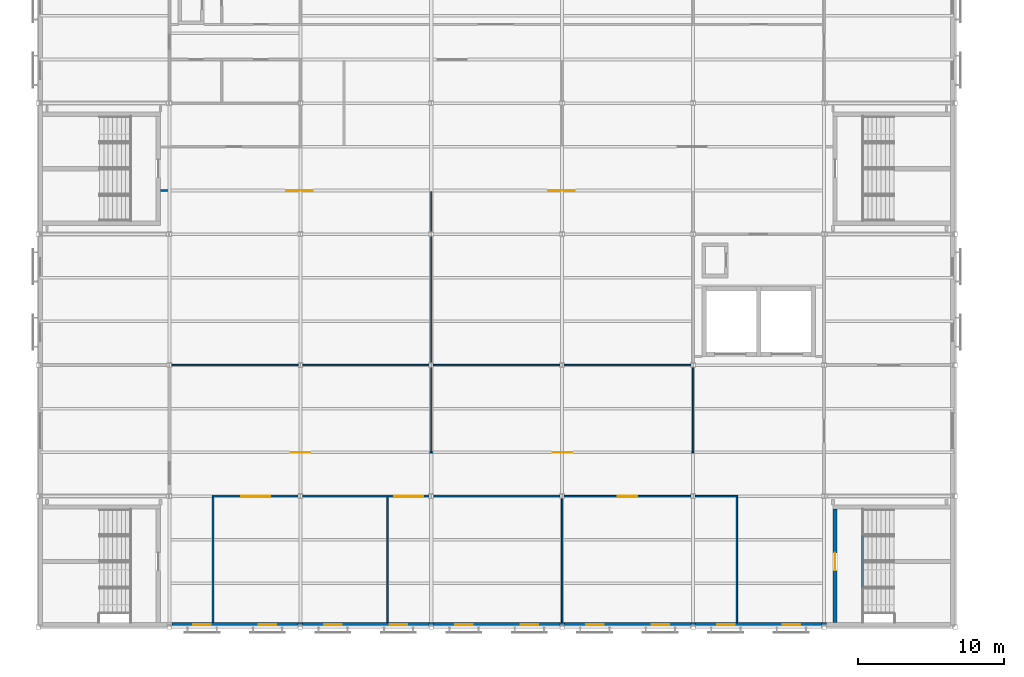
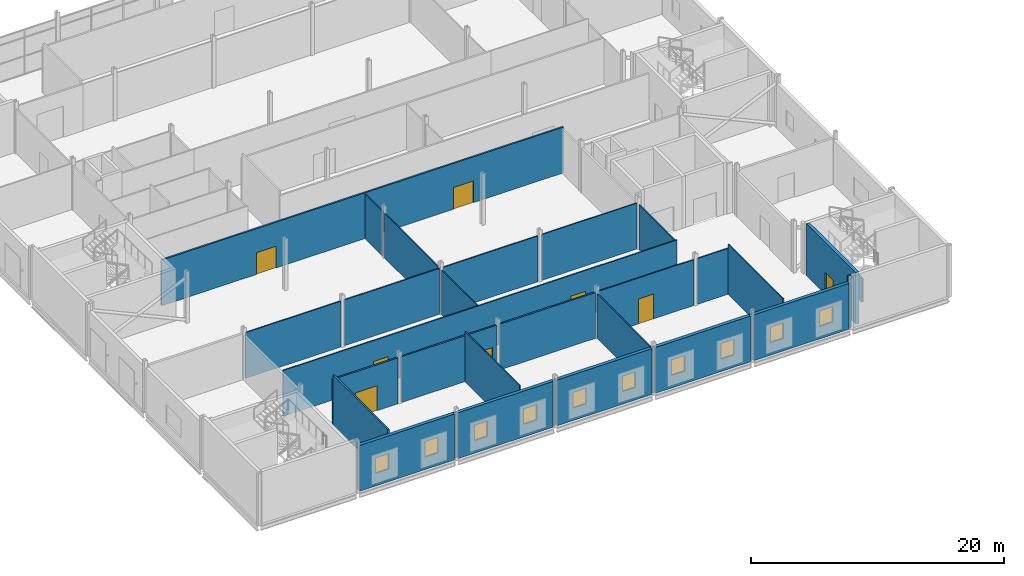
# One storey, part 78 of 112: 31 walls, 10 windows, 8 doors, 18 openings.
"""IFC4 building model written with IfcOpenShell, lengths in metres."""

import ifcopenshell
import ifcopenshell.guid

model = None  # the IFC model being written
_history = None  # IfcOwnerHistory: only IFC2X3 demands one
_inside = {}  # id of a spatial element -> (the spatial element, [elements in it])
_under = {}  # id of a project, library or spatial element -> (it, [spatial elements below it])
_declared = {}  # id of a project -> (the project, [libraries it declares])
_typed = {}  # id of a type object -> (the type object, [elements of that type])
_made_of = {}  # id of a material, layer set ... -> (it, [elements and type objects made of it])


def new_model(schema):
    """Start an empty IFC model of exactly this schema.

    Asked for "IFC4X3", IfcOpenShell would pick the latest addendum, in which some entities
    have other attributes; the version numbers below select the first issue.
    IFC2X3 requires an IfcOwnerHistory on every rooted entity: one is made here for all.
    """
    global model, _history
    if schema == "IFC4X3":
        model = ifcopenshell.file(schema_version=(4, 3, 0, 0))
    else:
        model = ifcopenshell.file(schema=schema)
    _inside.clear()
    _under.clear()
    _declared.clear()
    _typed.clear()
    _made_of.clear()
    _history = None
    if model.schema == "IFC2X3":
        org = make("IfcOrganization", Name="unknown")
        user = make(
            "IfcPersonAndOrganization",
            ThePerson=make("IfcPerson", FamilyName="unknown"),
            TheOrganization=org,
        )
        app = make(
            "IfcApplication",
            ApplicationDeveloper=org,
            Version="unknown",
            ApplicationFullName="unknown",
            ApplicationIdentifier="unknown",
        )
        _history = make(
            "IfcOwnerHistory",
            OwningUser=user,
            OwningApplication=app,
            ChangeAction="ADDED",
            CreationDate=0,
        )
    return model


def make(cls, **values):
    """One entity of the class cls with the attributes given. An attribute that is None is left unset."""
    return model.create_entity(
        cls, **{name: value for name, value in values.items() if value is not None}
    )


def rooted(cls, **values):
    """An entity with a GlobalId (a new one), such as an element, a storey or a relation."""
    return make(cls, GlobalId=ifcopenshell.guid.new(), OwnerHistory=_history, **values)


def si_unit(unit_type, name, prefix=None):
    """IfcSIUnit, for example si_unit("LENGTHUNIT", "METRE", prefix="MILLI")."""
    return make("IfcSIUnit", UnitType=unit_type, Prefix=prefix, Name=name)


def assignment(units):
    """IfcUnitAssignment: the units of a project."""
    return None if units is None else make("IfcUnitAssignment", Units=units)


def point(xyz):
    """IfcCartesianPoint."""
    return None if xyz is None else make("IfcCartesianPoint", Coordinates=xyz)


def direction(xyz):
    """IfcDirection."""
    return None if xyz is None else make("IfcDirection", DirectionRatios=xyz)


def frame(location, z_axis=None, x_axis=None):
    """IfcAxis2Placement3D, a coordinate frame: its origin and axes. An axis left out is left unset."""
    return make(
        "IfcAxis2Placement3D",
        Location=point(location),
        Axis=direction(z_axis),
        RefDirection=direction(x_axis),
    )


def frame_2d(location, x_axis=None):
    """IfcAxis2Placement2D, a coordinate frame in the plane: its origin and x axis."""
    return make(
        "IfcAxis2Placement2D", Location=point(location), RefDirection=direction(x_axis)
    )


def origin():
    """The frame at (0, 0, 0) with its axes left unset."""
    return frame((0.0, 0.0, 0.0))


def place(relative_to, where):
    """IfcLocalPlacement: puts the frame where relative to a parent placement (None: the world)."""
    return make(
        "IfcLocalPlacement", PlacementRelTo=relative_to, RelativePlacement=where
    )


def context(
    kind, dimensions, precision=None, world=None, true_north=None, identifier=None
):
    """IfcGeometricRepresentationContext, for example the 3D "Model" context."""
    return make(
        "IfcGeometricRepresentationContext",
        ContextIdentifier=identifier,
        ContextType=kind,
        CoordinateSpaceDimension=dimensions,
        Precision=precision,
        WorldCoordinateSystem=world,
        TrueNorth=true_north,
    )


def subcontext(parent, identifier, kind, view, scale=None):
    """IfcGeometricRepresentationSubContext, for example "Body" below "Model"."""
    return make(
        "IfcGeometricRepresentationSubContext",
        ContextIdentifier=identifier,
        ContextType=kind,
        ParentContext=parent,
        TargetScale=scale,
        TargetView=view,
    )


def project(units=None, contexts=None):
    """IfcProject with its units and contexts."""
    return rooted(
        "IfcProject",
        Name="project",
        RepresentationContexts=contexts,
        UnitsInContext=assignment(units),
    )


def spatial(cls, under=None, at=None, **own):
    """A site, building, storey or space (cls), placed at a placement, below another one or the project."""
    s = rooted(cls, ObjectPlacement=at, **own)
    if under is not None:
        _under.setdefault(under.id(), (under, []))[1].append(s)
    return s


def profile(cls, at=None, kind="AREA", **sizes):
    """A parametric profile (cls). Its sizes go by their IFC names, for example OverallWidth=200.0."""
    return make(cls, ProfileType=kind, Position=at, **sizes)


def rectangle(**sizes):
    """IfcRectangleProfileDef."""
    return profile("IfcRectangleProfileDef", **sizes)


def extrude(swept, where, along, depth):
    """IfcExtrudedAreaSolid: the profile swept, set in the frame where, extruded along a direction by depth."""
    return make(
        "IfcExtrudedAreaSolid",
        SweptArea=swept,
        Position=where,
        ExtrudedDirection=direction(along),
        Depth=depth,
    )


def shape(context_of_items, identifier, shape_type, items):
    """IfcShapeRepresentation: the items that make up one representation, for example the "Body"."""
    return make(
        "IfcShapeRepresentation",
        ContextOfItems=context_of_items,
        RepresentationIdentifier=identifier,
        RepresentationType=shape_type,
        Items=items,
    )


def material(Name=None, Category=None):
    """IfcMaterial."""
    return make("IfcMaterial", Name=Name, Category=Category)


def layer(
    of_material, thickness, ventilated=None, Name=None, Category=None, Priority=None
):
    """IfcMaterialLayer: one layer of a wall or slab, of a material (None: an air gap)."""
    return make(
        "IfcMaterialLayer",
        Material=of_material,
        LayerThickness=thickness,
        IsVentilated=ventilated,
        Name=Name,
        Category=Category,
        Priority=Priority,
    )


def layer_set(layers, Name=None):
    """IfcMaterialLayerSet."""
    return make("IfcMaterialLayerSet", MaterialLayers=layers, LayerSetName=Name)


def made_of(thing, what):
    """Note that an element or type object is made of a material, layer set ...; save() writes the relation."""
    if what is not None:
        _made_of.setdefault(what.id(), (what, []))[1].append(thing)
    return thing


def type_object(cls, material=None, **own):
    """A type object (cls), such as IfcWallType, which elements share."""
    return made_of(rooted(cls, **own), material)


def element(
    cls,
    number,
    at=None,
    inside=None,
    cuts=None,
    type_object=None,
    material=None,
    context=None,
    identifier="Body",
    shape_type=None,
    held_by="IfcProductDefinitionShape",
    body=None,
    shapes=None,
    **own,
):
    """One element of the class cls, such as IfcWall. Its Tag is "e" and its number.

    at: its placement. inside: the storey or other place that contains it. cuts: it is an
    opening in that element (IfcRelVoidsElement). A single representation is given by context,
    identifier, shape_type and body (its items); several are given by shapes. held_by: the class
    of the entity that holds the representations. save() writes the other relations.
    """
    e = rooted(cls, Tag="e%d" % number, ObjectPlacement=at, **own)
    if body is not None:
        shapes = [shape(context, identifier, shape_type, body)]
    if shapes is not None:
        e.Representation = make(held_by, Representations=shapes)
    if inside is not None:
        _inside.setdefault(inside.id(), (inside, []))[1].append(e)
    if cuts is not None:
        rooted(
            "IfcRelVoidsElement", RelatingBuildingElement=cuts, RelatedOpeningElement=e
        )
    if type_object is not None:
        _typed.setdefault(type_object.id(), (type_object, []))[1].append(e)
    return made_of(e, material)


def fill(opening, filler):
    """IfcRelFillsElement: the door or window that sits in an opening."""
    return rooted(
        "IfcRelFillsElement",
        RelatingOpeningElement=opening,
        RelatedBuildingElement=filler,
    )


def aggregate(whole, parts):
    """IfcRelAggregates: a whole, such as a stair, and the parts it consists of."""
    return rooted("IfcRelAggregates", RelatingObject=whole, RelatedObjects=parts)


def save(model, path):
    """Write the relations noted so far, then the file.

    IfcRelAggregates (storeys below a building ...), IfcRelContainedInSpatialStructure (elements
    in a storey), IfcRelDefinesByType, IfcRelAssociatesMaterial and IfcRelDeclares: one each for
    every whole, place, type object, material and project.
    """
    for whole, parts in _under.values():
        aggregate(whole, parts)
    for where, things in _inside.values():
        rooted(
            "IfcRelContainedInSpatialStructure",
            RelatedElements=things,
            RelatingStructure=where,
        )
    for kind, things in _typed.values():
        rooted("IfcRelDefinesByType", RelatedObjects=things, RelatingType=kind)
    for what, things in _made_of.values():
        rooted("IfcRelAssociatesMaterial", RelatedObjects=things, RelatingMaterial=what)
    for by, libraries in _declared.values():
        rooted("IfcRelDeclares", RelatingContext=by, RelatedDefinitions=libraries)
    model.write(path)


model = new_model("IFC4")

# Units and contexts
model_context = context("Model", 3, precision=1e-05, world=origin(), true_north=direction((0.0, 1.0)))
body_context = subcontext(model_context, "Body", "Model", "MODEL_VIEW")
ifc_project = project(units=[si_unit("LENGTHUNIT", "METRE"), si_unit("AREAUNIT", "SQUARE_METRE"), si_unit("VOLUMEUNIT", "CUBIC_METRE"), si_unit("PLANEANGLEUNIT", "RADIAN"), si_unit("MASSUNIT", "GRAM", prefix="KILO")], contexts=[model_context])

# Site, building, storey
site_placement = place(None, origin())
site = spatial("IfcSite", under=ifc_project, at=site_placement, CompositionType="ELEMENT")
building_placement = place(site_placement, origin())
building = spatial("IfcBuilding", under=site, at=building_placement, Name="Shorebreak Coast Museum", CompositionType="ELEMENT")
storey_placement = place(building_placement, frame((0.0, 0.0, 6.0)))
storey = spatial("IfcBuildingStorey", under=building, at=storey_placement, Name="L01", CompositionType="ELEMENT", Elevation=6.0)

# Walls
ifc_material_1 = material(Name="Concrete N50 (50 MPa)", Category="concrete")
ifc_layer_1 = layer(ifc_material_1, 0.14990234375)
ifc_layer_set_1 = layer_set([ifc_layer_1], Name="Concrete N50 (50 MPa)")
wall_type_1 = type_object("IfcWallType", Name="Column closure panel 150", PredefinedType="SOLIDWALL", material=ifc_layer_set_1)
for number, where, z_axis, x_axis, name in (
    (1, (71.839111328125, 0.22509765625, 0.0), (0.0, 0.0, 1.0), (1.0, 0.0, 0.0), "Column closure panel L01 S 9A"),
    (2, (80.839111328125, 0.22509765625, 0.0), (0.0, 0.0, 1.0), (1.0, 0.0, 0.0), "Column closure panel L01 S 10A"),
    (3, (89.839111328125, 0.22509765625, 0.0), (0.0, 0.0, 1.0), (1.0, 0.0, 0.0), "Column closure panel L01 S 11A"),
    (4, (98.839111328125, 0.22509765625, 0.0), (0.0, 0.0, 1.0), (1.0, 0.0, 0.0), "Column closure panel L01 S 12A"),
):
    element("IfcWall", number, at=place(storey_placement, frame(where, z_axis=z_axis, x_axis=x_axis)), inside=storey, type_object=wall_type_1, Name=name, PredefinedType="SOLIDWALL", context=body_context, shape_type="SweptSolid", body=[
        extrude(rectangle(XDim=0.32177734375, YDim=0.14990234375, at=frame_2d((0.160888671875, 0.0))), origin(), (0.0, 0.0, 1.0), 4.418701171875),
    ])
wall_1_placement = place(storey_placement, frame((107.827880859375, 0.22509765625, 0.0), z_axis=(0.0, 0.0, 1.0), x_axis=(1.0, 0.0, 0.0)))
element("IfcWall", 5, at=wall_1_placement, inside=storey, type_object=wall_type_1, Name="Column closure panel L01 S 13A", PredefinedType="SOLIDWALL", context=body_context, shape_type="SweptSolid", body=[
    extrude(rectangle(XDim=0.322021484375, YDim=0.14990234375, at=frame_2d((0.1611328125, 0.0))), origin(), (0.0, 0.0, 1.0), 5.0),
])

# Wall, opening, door
ifc_material_2 = material(Name="Plasterboard on steel stud", Category="steel")
ifc_layer_2 = layer(ifc_material_2, 0.14990234375)
ifc_layer_set_2 = layer_set([ifc_layer_2], Name="Plasterboard on steel stud")
wall_type_2 = type_object("IfcWallType", Name="Fire partition 150", PredefinedType="PARTITIONING", material=ifc_layer_set_2)
wall_2_placement = place(storey_placement, frame((65.925048828125, 9.0, 0.0), z_axis=(0.0, 0.0, 1.0), x_axis=(1.0, 0.0, 0.0)))
wall_2 = element("IfcWall", 6, at=wall_2_placement, inside=storey, type_object=wall_type_2, Name="Partition L01-001", PredefinedType="PARTITIONING", context=body_context, shape_type="SweptSolid", body=[
    extrude(rectangle(XDim=5.92041015625, YDim=0.14990234375, at=frame_2d((2.960205078125, 0.0))), origin(), (0.0, 0.0, 1.0), 4.418701171875),
])
opening_1_placement = place(wall_2_placement, frame((2.02490234375, 0.0, 0.0)))
opening_1 = element("IfcOpeningElement", 7, at=opening_1_placement, cuts=wall_2, Name="Opening D1019", PredefinedType="OPENING", context=body_context, shape_type="SweptSolid", body=[
    extrude(rectangle(XDim=2.0, YDim=2.39990234375, at=frame_2d((1.0, 1.199951171875))), frame((0.0, 0.0849609375, 0.0), z_axis=(0.0, -1.0, 0.0), x_axis=(1.0, 0.0, 0.0)), (0.0, 0.0, 1.0), 0.169921875),
])
ifc_material_3 = material(Name="Steel", Category="steel")
door_type_1 = type_object("IfcDoorType", Name="Fire door 2000x2400 60", OperationType="DOUBLE_DOOR_SINGLE_SWING", PredefinedType="DOOR", material=ifc_material_3)
door_1_placement = place(opening_1_placement, origin())
door_1 = element("IfcDoor", 8, at=door_1_placement, inside=storey, type_object=door_type_1, Name="Door D1019 Archive 1.01", OperationType="DOUBLE_DOOR_SINGLE_SWING", OverallHeight=2.39990234375, OverallWidth=2.0, PredefinedType="DOOR", context=body_context, shape_type="SweptSolid", body=[
    extrude(rectangle(XDim=2.0, YDim=2.39990234375, at=frame_2d((1.0, 1.199951171875))), frame((0.0, 0.02490234375, 0.0), z_axis=(0.0, -1.0, 0.0), x_axis=(1.0, 0.0, 0.0)), (0.0, 0.0, 1.0), 0.050048828125),
])
fill(opening_1, door_1)

wall_3_placement = place(storey_placement, frame((72.154541015625, 9.0, 0.0), z_axis=(0.0, 0.0, 1.0), x_axis=(1.0, 0.0, 0.0)))
wall_3 = element("IfcWall", 9, at=wall_3_placement, inside=storey, type_object=wall_type_2, Name="Partition L01-002", PredefinedType="PARTITIONING", context=body_context, shape_type="SweptSolid", body=[
    extrude(rectangle(XDim=8.69091796875, YDim=0.14990234375, at=frame_2d((4.345458984375, 0.0))), origin(), (0.0, 0.0, 1.0), 4.418701171875),
])
opening_2_placement = place(wall_3_placement, frame((6.29541015625, 0.0, 0.0)))
opening_2 = element("IfcOpeningElement", 10, at=opening_2_placement, cuts=wall_3, Name="Opening D1020", PredefinedType="OPENING", context=body_context, shape_type="SweptSolid", body=[
    extrude(rectangle(XDim=2.0, YDim=2.39990234375, at=frame_2d((1.0, 1.199951171875))), frame((0.0, 0.0849609375, 0.0), z_axis=(0.0, -1.0, 0.0), x_axis=(1.0, 0.0, 0.0)), (0.0, 0.0, 1.0), 0.169921875),
])
door_2_placement = place(opening_2_placement, origin())
door_2 = element("IfcDoor", 11, at=door_2_placement, inside=storey, type_object=door_type_1, Name="Door D1020 Archive 1.02", OperationType="DOUBLE_DOOR_SINGLE_SWING", OverallHeight=2.39990234375, OverallWidth=2.0, PredefinedType="DOOR", context=body_context, shape_type="SweptSolid", body=[
    extrude(rectangle(XDim=2.0, YDim=2.39990234375, at=frame_2d((1.0, 1.199951171875))), frame((0.0, 0.02490234375, 0.0), z_axis=(0.0, -1.0, 0.0), x_axis=(1.0, 0.0, 0.0)), (0.0, 0.0, 1.0), 0.050048828125),
])
fill(opening_2, door_2)

# Wall
wall_4_placement = place(storey_placement, frame((81.154541015625, 9.0, 0.0), z_axis=(0.0, 0.0, 1.0), x_axis=(1.0, 0.0, 0.0)))
element("IfcWall", 12, at=wall_4_placement, inside=storey, type_object=wall_type_2, Name="Partition L01-003", PredefinedType="PARTITIONING", context=body_context, shape_type="SweptSolid", body=[
    extrude(rectangle(XDim=8.69091796875, YDim=0.14990234375, at=frame_2d((4.345458984375, 0.0))), origin(), (0.0, 0.0, 1.0), 4.418701171875),
])

# Wall, openings, doors
wall_5_placement = place(storey_placement, frame((62.39990234375, 30.0, 0.0), z_axis=(0.0, 0.0, 1.0), x_axis=(1.0, 0.0, 0.0)))
wall_5 = element("IfcWall", 13, at=wall_5_placement, inside=storey, type_object=wall_type_2, Name="Partition L01-016", PredefinedType="PARTITIONING", context=body_context, shape_type="SweptSolid", body=[
    extrude(rectangle(XDim=36.675048828125, YDim=0.14990234375, at=frame_2d((18.33740234375, 0.0))), origin(), (0.0, 0.0, 1.0), 4.418701171875),
])
opening_3_placement = place(wall_5_placement, frame((8.64990234375, 0.0, 0.0)))
opening_3 = element("IfcOpeningElement", 14, at=opening_3_placement, cuts=wall_5, Name="Opening D1028", PredefinedType="OPENING", context=body_context, shape_type="SweptSolid", body=[
    extrude(rectangle(XDim=1.800048828125, YDim=2.10009765625, at=frame_2d((0.89990234375, 1.050048828125))), frame((0.0, 0.0849609375, 0.0), z_axis=(0.0, -1.0, 0.0), x_axis=(1.0, 0.0, 0.0)), (0.0, 0.0, 1.0), 0.169921875),
])
opening_4_placement = place(wall_5_placement, frame((26.64990234375, 0.0, 0.0)))
opening_4 = element("IfcOpeningElement", 15, at=opening_4_placement, cuts=wall_5, Name="Opening D1029", PredefinedType="OPENING", context=body_context, shape_type="SweptSolid", body=[
    extrude(rectangle(XDim=1.800048828125, YDim=2.10009765625, at=frame_2d((0.89990234375, 1.050048828125))), frame((0.0, 0.0849609375, 0.0), z_axis=(0.0, -1.0, 0.0), x_axis=(1.0, 0.0, 0.0)), (0.0, 0.0, 1.0), 0.169921875),
])
ifc_material_4 = material(Name="Steel", Category="steel")
door_type_2 = type_object("IfcDoorType", Name="Fire door 1800x2100 60", OperationType="DOUBLE_DOOR_SINGLE_SWING", PredefinedType="DOOR", material=ifc_material_4)
door_3_placement = place(opening_3_placement, origin())
door_3 = element("IfcDoor", 16, at=door_3_placement, inside=storey, type_object=door_type_2, Name="Door D1028 Conservation Laboratory 1.01", OperationType="DOUBLE_DOOR_SINGLE_SWING", OverallHeight=2.10009765625, OverallWidth=1.800048828125, PredefinedType="DOOR", context=body_context, shape_type="SweptSolid", body=[
    extrude(rectangle(XDim=1.800048828125, YDim=2.10009765625, at=frame_2d((0.89990234375, 1.050048828125))), frame((0.0, 0.02490234375, 0.0), z_axis=(0.0, -1.0, 0.0), x_axis=(1.0, 0.0, 0.0)), (0.0, 0.0, 1.0), 0.050048828125),
])
fill(opening_3, door_3)
door_4_placement = place(opening_4_placement, origin())
door_4 = element("IfcDoor", 17, at=door_4_placement, inside=storey, type_object=door_type_2, Name="Door D1029 Conservation Laboratory 1.02", OperationType="DOUBLE_DOOR_SINGLE_SWING", OverallHeight=2.10009765625, OverallWidth=1.800048828125, PredefinedType="DOOR", context=body_context, shape_type="SweptSolid", body=[
    extrude(rectangle(XDim=1.800048828125, YDim=2.10009765625, at=frame_2d((0.89990234375, 1.050048828125))), frame((0.0, 0.02490234375, 0.0), z_axis=(0.0, -1.0, 0.0), x_axis=(1.0, 0.0, 0.0)), (0.0, 0.0, 1.0), 0.050048828125),
])
fill(opening_4, door_4)

# Wall
wall_6_placement = place(storey_placement, frame((66.0, 0.300048828125, 0.0), z_axis=(0.0, 0.0, 1.0), x_axis=(0.0, 1.0, 0.0)))
element("IfcWall", 18, at=wall_6_placement, inside=storey, type_object=wall_type_2, Name="Partition L01-119", PredefinedType="PARTITIONING", context=body_context, shape_type="SweptSolid", body=[
    extrude(rectangle(XDim=8.625, YDim=0.14990234375, at=frame_2d((4.3125, 0.0))), origin(), (0.0, 0.0, 1.0), 4.824951171875),
])

# Wall, opening, door
ifc_material_5 = material(Name="Plasterboard on steel stud", Category="steel")
ifc_layer_3 = layer(ifc_material_5, 0.10009765625)
ifc_layer_set_3 = layer_set([ifc_layer_3], Name="Plasterboard on steel stud")
wall_type_3 = type_object("IfcWallType", Name="Partition 100", PredefinedType="PARTITIONING", material=ifc_layer_set_3)
wall_7_placement = place(storey_placement, frame((90.154541015625, 9.0, 0.0), z_axis=(0.0, 0.0, 1.0), x_axis=(1.0, 0.0, 0.0)))
wall_7 = element("IfcWall", 19, at=wall_7_placement, inside=storey, type_object=wall_type_3, Name="Partition L01-004", PredefinedType="PARTITIONING", context=body_context, shape_type="SweptSolid", body=[
    extrude(rectangle(XDim=8.69091796875, YDim=0.10009765625, at=frame_2d((4.345458984375, 0.0))), origin(), (0.0, 0.0, 1.0), 4.418701171875),
])
opening_5_placement = place(wall_7_placement, frame((3.64990234375, 0.0, 0.0)))
opening_5 = element("IfcOpeningElement", 20, at=opening_5_placement, cuts=wall_7, Name="Opening D1021", PredefinedType="OPENING", context=body_context, shape_type="SweptSolid", body=[
    extrude(rectangle(XDim=1.35009765625, YDim=2.39990234375, at=frame_2d((0.675048828125, 1.199951171875))), frame((0.0, 0.06005859375, 0.0), z_axis=(0.0, -1.0, 0.0), x_axis=(1.0, 0.0, 0.0)), (0.0, 0.0, 1.0), 0.1201171875),
])
ifc_material_6 = material(Name="Timber", Category="wood")
door_type_3 = type_object("IfcDoorType", Name="Interior door 1350x2400", OperationType="SINGLE_SWING_LEFT", PredefinedType="DOOR", material=ifc_material_6)
door_5_placement = place(opening_5_placement, origin())
door_5 = element("IfcDoor", 21, at=door_5_placement, inside=storey, type_object=door_type_3, Name="Door D1021 Collection Store 1.01", OperationType="SINGLE_SWING_LEFT", OverallHeight=2.39990234375, OverallWidth=1.35009765625, PredefinedType="DOOR", context=body_context, shape_type="SweptSolid", body=[
    extrude(rectangle(XDim=1.35009765625, YDim=2.39990234375, at=frame_2d((0.675048828125, 1.199951171875))), frame((0.0, 0.02490234375, 0.0), z_axis=(0.0, -1.0, 0.0), x_axis=(1.0, 0.0, 0.0)), (0.0, 0.0, 1.0), 0.050048828125),
])
fill(opening_5, door_5)

# Wall
wall_8_placement = place(storey_placement, frame((99.154541015625, 9.0, 0.0), z_axis=(0.0, 0.0, 1.0), x_axis=(1.0, 0.0, 0.0)))
element("IfcWall", 22, at=wall_8_placement, inside=storey, type_object=wall_type_3, Name="Partition L01-005", PredefinedType="PARTITIONING", context=body_context, shape_type="SweptSolid", body=[
    extrude(rectangle(XDim=2.8955078125, YDim=0.10009765625, at=frame_2d((1.44775390625, 0.0))), origin(), (0.0, 0.0, 1.0), 4.418701171875),
])

# Wall, openings, doors
wall_9_placement = place(storey_placement, frame((63.10009765625, 12.0, 0.0), z_axis=(0.0, 0.0, 1.0), x_axis=(1.0, 0.0, 0.0)))
wall_9 = element("IfcWall", 23, at=wall_9_placement, inside=storey, type_object=wall_type_3, Name="Partition L01-006", PredefinedType="PARTITIONING", context=body_context, shape_type="SweptSolid", body=[
    extrude(rectangle(XDim=35.949951171875, YDim=0.10009765625, at=frame_2d((17.97509765625, 0.0))), origin(), (0.0, 0.0, 1.0), 4.418701171875),
])
opening_6_placement = place(wall_9_placement, frame((8.25, 0.0, 0.0)))
opening_6 = element("IfcOpeningElement", 24, at=opening_6_placement, cuts=wall_9, Name="Opening D1026", PredefinedType="OPENING", context=body_context, shape_type="SweptSolid", body=[
    extrude(rectangle(XDim=1.35009765625, YDim=2.39990234375, at=frame_2d((0.675048828125, 1.199951171875))), frame((0.0, 0.06005859375, 0.0), z_axis=(0.0, -1.0, 0.0), x_axis=(1.0, 0.0, 0.0)), (0.0, 0.0, 1.0), 0.1201171875),
])
opening_7_placement = place(wall_9_placement, frame((26.25, 0.0, 0.0)))
opening_7 = element("IfcOpeningElement", 25, at=opening_7_placement, cuts=wall_9, Name="Opening D1027", PredefinedType="OPENING", context=body_context, shape_type="SweptSolid", body=[
    extrude(rectangle(XDim=1.35009765625, YDim=2.39990234375, at=frame_2d((0.675048828125, 1.199951171875))), frame((0.0, 0.06005859375, 0.0), z_axis=(0.0, -1.0, 0.0), x_axis=(1.0, 0.0, 0.0)), (0.0, 0.0, 1.0), 0.1201171875),
])
door_6_placement = place(opening_6_placement, origin())
door_6 = element("IfcDoor", 26, at=door_6_placement, inside=storey, type_object=door_type_3, Name="Door D1026 Collection Store 1.02", OperationType="SINGLE_SWING_LEFT", OverallHeight=2.39990234375, OverallWidth=1.35009765625, PredefinedType="DOOR", context=body_context, shape_type="SweptSolid", body=[
    extrude(rectangle(XDim=1.35009765625, YDim=2.39990234375, at=frame_2d((0.675048828125, 1.199951171875))), frame((0.0, 0.02490234375, 0.0), z_axis=(0.0, -1.0, 0.0), x_axis=(1.0, 0.0, 0.0)), (0.0, 0.0, 1.0), 0.050048828125),
])
fill(opening_6, door_6)
door_7_placement = place(opening_7_placement, origin())
door_7 = element("IfcDoor", 27, at=door_7_placement, inside=storey, type_object=door_type_3, Name="Door D1027 Collection Store 1.03", OperationType="SINGLE_SWING_LEFT", OverallHeight=2.39990234375, OverallWidth=1.35009765625, PredefinedType="DOOR", context=body_context, shape_type="SweptSolid", body=[
    extrude(rectangle(XDim=1.35009765625, YDim=2.39990234375, at=frame_2d((0.675048828125, 1.199951171875))), frame((0.0, 0.02490234375, 0.0), z_axis=(0.0, -1.0, 0.0), x_axis=(1.0, 0.0, 0.0)), (0.0, 0.0, 1.0), 0.050048828125),
])
fill(opening_7, door_7)

# Walls
for number, where, z_axis, x_axis, name in (
    (28, (63.154541015625, 18.0, 0.0), (0.0, 0.0, 1.0), (1.0, 0.0, 0.0), "Partition L01-008"),
    (29, (72.154541015625, 18.0, 0.0), (0.0, 0.0, 1.0), (1.0, 0.0, 0.0), "Partition L01-009"),
    (30, (81.154541015625, 18.0, 0.0), (0.0, 0.0, 1.0), (1.0, 0.0, 0.0), "Partition L01-010"),
    (31, (90.154541015625, 18.0, 0.0), (0.0, 0.0, 1.0), (1.0, 0.0, 0.0), "Partition L01-011"),
):
    element("IfcWall", number, at=place(storey_placement, frame(where, z_axis=z_axis, x_axis=x_axis)), inside=storey, type_object=wall_type_3, Name=name, PredefinedType="PARTITIONING", context=body_context, shape_type="SweptSolid", body=[
        extrude(rectangle(XDim=8.69091796875, YDim=0.10009765625, at=frame_2d((4.345458984375, 0.0))), origin(), (0.0, 0.0, 1.0), 4.418701171875),
    ])
wall_10_placement = place(storey_placement, frame((78.0, 0.300048828125, 0.0), z_axis=(0.0, 0.0, 1.0), x_axis=(0.0, 1.0, 0.0)))
element("IfcWall", 32, at=wall_10_placement, inside=storey, type_object=wall_type_3, Name="Partition L01-131", PredefinedType="PARTITIONING", context=body_context, shape_type="SweptSolid", body=[
    extrude(rectangle(XDim=8.625, YDim=0.10009765625, at=frame_2d((4.3125, 0.0))), origin(), (0.0, 0.0, 1.0), 4.824951171875),
])
wall_11_placement = place(storey_placement, frame((81.0, 12.050048828125, 0.0), z_axis=(0.0, 0.0, 1.0), x_axis=(0.0, 1.0, 0.0)))
element("IfcWall", 33, at=wall_11_placement, inside=storey, type_object=wall_type_3, Name="Partition L01-133", PredefinedType="PARTITIONING", context=body_context, shape_type="SweptSolid", body=[
    extrude(rectangle(XDim=5.78955078125, YDim=0.10009765625, at=frame_2d((2.894775390625, 0.0))), origin(), (0.0, 0.0, 1.0), 4.296875),
])
wall_12_placement = place(storey_placement, frame((81.0, 18.160400390625, 0.0), z_axis=(0.0, 0.0, 1.0), x_axis=(0.0, 1.0, 0.0)))
element("IfcWall", 34, at=wall_12_placement, inside=storey, type_object=wall_type_3, Name="Partition L01-134", PredefinedType="PARTITIONING", context=body_context, shape_type="SweptSolid", body=[
    extrude(rectangle(XDim=8.67919921875, YDim=0.10009765625, at=frame_2d((4.339599609375, 0.0))), origin(), (0.0, 0.0, 1.0), 4.296875),
])
wall_13_placement = place(storey_placement, frame((81.0, 27.160400390625, 0.0), z_axis=(0.0, 0.0, 1.0), x_axis=(0.0, 1.0, 0.0)))
element("IfcWall", 35, at=wall_13_placement, inside=storey, type_object=wall_type_3, Name="Partition L01-135", PredefinedType="PARTITIONING", context=body_context, shape_type="SweptSolid", body=[
    extrude(rectangle(XDim=2.7646484375, YDim=0.10009765625, at=frame_2d((1.38232421875, 0.0))), origin(), (0.0, 0.0, 1.0), 4.296875),
])
wall_14_placement = place(storey_placement, frame((90.0, 0.300048828125, 0.0), z_axis=(0.0, 0.0, 1.0), x_axis=(0.0, 1.0, 0.0)))
element("IfcWall", 36, at=wall_14_placement, inside=storey, type_object=wall_type_3, Name="Partition L01-136", PredefinedType="PARTITIONING", context=body_context, shape_type="SweptSolid", body=[
    extrude(rectangle(XDim=8.53955078125, YDim=0.10009765625, at=frame_2d((4.269775390625, 0.0))), origin(), (0.0, 0.0, 1.0), 4.296875),
])
wall_15_placement = place(storey_placement, frame((99.0, 12.050048828125, 0.0), z_axis=(0.0, 0.0, 1.0), x_axis=(0.0, 1.0, 0.0)))
element("IfcWall", 37, at=wall_15_placement, inside=storey, type_object=wall_type_3, Name="Partition L01-141", PredefinedType="PARTITIONING", context=body_context, shape_type="SweptSolid", body=[
    extrude(rectangle(XDim=5.78955078125, YDim=0.10009765625, at=frame_2d((2.894775390625, 0.0))), origin(), (0.0, 0.0, 1.0), 4.296875),
])
wall_16_placement = place(storey_placement, frame((102.0, 0.300048828125, 0.0), z_axis=(0.0, 0.0, 1.0), x_axis=(0.0, 1.0, 0.0)))
element("IfcWall", 38, at=wall_16_placement, inside=storey, type_object=wall_type_3, Name="Partition L01-148", PredefinedType="PARTITIONING", context=body_context, shape_type="SweptSolid", body=[
    extrude(rectangle(XDim=8.64990234375, YDim=0.10009765625, at=frame_2d((4.324951171875, 0.0))), origin(), (0.0, 0.0, 1.0), 4.824951171875),
])

# Wall, opening, door
ifc_material_7 = material(Name="Concrete N50 (50 MPa)", Category="concrete")
ifc_layer_4 = layer(ifc_material_7, 0.300048828125)
ifc_layer_set_4 = layer_set([ifc_layer_4], Name="Concrete N50 (50 MPa)")
wall_type_4 = type_object("IfcWallType", Name="RC wall 300", PredefinedType="SHEAR", material=ifc_layer_set_4)
wall_17_placement = place(storey_placement, frame((108.75, 0.300048828125, 0.0), z_axis=(0.0, 0.0, 1.0), x_axis=(0.0, 1.0, 0.0)))
wall_17 = element("IfcWall", 39, at=wall_17_placement, inside=storey, type_object=wall_type_4, Name="Stair core wall ST12 L01 W", PredefinedType="SHEAR", context=body_context, shape_type="SweptSolid", body=[
    extrude(rectangle(XDim=7.800048828125, YDim=0.300048828125, at=frame_2d((3.89990234375, 0.0))), origin(), (0.0, 0.0, 1.0), 5.0),
])
opening_8_placement = place(wall_17_placement, frame((3.60009765625, 0.0, 0.0)))
opening_8 = element("IfcOpeningElement", 40, at=opening_8_placement, cuts=wall_17, Name="Opening D1812", PredefinedType="OPENING", context=body_context, shape_type="SweptSolid", body=[
    extrude(rectangle(XDim=1.199951171875, YDim=2.10009765625, at=frame_2d((0.60009765625, 1.050048828125))), frame((0.0, 0.159912109375, 0.0), z_axis=(0.0, -1.0, 0.0), x_axis=(1.0, 0.0, 0.0)), (0.0, 0.0, 1.0), 0.320068359375),
])
ifc_material_8 = material(Name="Steel Grade 300", Category="steel")
door_type_4 = type_object("IfcDoorType", Name="Fire door 1200x2100", OperationType="SINGLE_SWING_LEFT", PredefinedType="DOOR", material=ifc_material_8)
door_8_placement = place(opening_8_placement, origin())
door_8 = element("IfcDoor", 41, at=door_8_placement, inside=storey, type_object=door_type_4, Name="Stair door ST12 L01", OperationType="SINGLE_SWING_RIGHT", OverallHeight=2.10009765625, OverallWidth=1.199951171875, PredefinedType="DOOR", context=body_context, shape_type="SweptSolid", body=[
    extrude(rectangle(XDim=1.199951171875, YDim=2.10009765625, at=frame_2d((0.60009765625, 1.050048828125))), frame((0.0, 0.02490234375, 0.0), z_axis=(0.0, -1.0, 0.0), x_axis=(1.0, 0.0, 0.0)), (0.0, 0.0, 1.0), 0.050048828125),
])
fill(opening_8, door_8)

# Wall, openings, windows
ifc_material_9 = material(Name="Concrete N50 (50 MPa)", Category="concrete")
ifc_layer_5 = layer(ifc_material_9, 0.300048828125)
ifc_layer_set_5 = layer_set([ifc_layer_5], Name="Concrete N50 (50 MPa)")
wall_type_5 = type_object("IfcWallType", Name="Sand-coloured precast panel 300", PredefinedType="SOLIDWALL", material=ifc_layer_set_5)
wall_18_placement = place(storey_placement, frame((63.172119140625, 0.14990234375, 0.0), z_axis=(0.0, 0.0, 1.0), x_axis=(1.0, 0.0, 0.0)))
wall_18 = element("IfcWall", 42, at=wall_18_placement, inside=storey, type_object=wall_type_5, Name="External wall L01 S 8A", PredefinedType="SOLIDWALL", context=body_context, shape_type="SweptSolid", body=[
    extrude(rectangle(XDim=8.6669921875, YDim=0.300048828125, at=frame_2d((4.33349609375, 0.0))), origin(), (0.0, 0.0, 1.0), 4.418701171875),
])
opening_9_placement = place(wall_18_placement, frame((1.47802734375, 0.0, 1.199951171875)))
opening_9 = element("IfcOpeningElement", 43, at=opening_9_placement, cuts=wall_18, Name="Opening WN1022", PredefinedType="OPENING", context=body_context, shape_type="SweptSolid", body=[
    extrude(rectangle(XDim=1.199951171875, YDim=1.5, at=frame_2d((0.60009765625, 0.75))), frame((0.0, 0.159912109375, 0.0), z_axis=(0.0, -1.0, 0.0), x_axis=(1.0, 0.0, 0.0)), (0.0, 0.0, 1.0), 0.320068359375),
])
opening_10_placement = place(wall_18_placement, frame((5.97802734375, 0.0, 1.199951171875)))
opening_10 = element("IfcOpeningElement", 44, at=opening_10_placement, cuts=wall_18, Name="Opening WN1023", PredefinedType="OPENING", context=body_context, shape_type="SweptSolid", body=[
    extrude(rectangle(XDim=1.199951171875, YDim=1.5, at=frame_2d((0.60009765625, 0.75))), frame((0.0, 0.159912109375, 0.0), z_axis=(0.0, -1.0, 0.0), x_axis=(1.0, 0.0, 0.0)), (0.0, 0.0, 1.0), 0.320068359375),
])
ifc_material_10 = material(Name="Aluminium", Category="aluminium")
window_type = type_object("IfcWindowType", Name="Punched window 1200 x 1500", PartitioningType="SINGLE_PANEL", PredefinedType="WINDOW", material=ifc_material_10)
window_1_placement = place(opening_9_placement, origin())
window_1 = element("IfcWindow", 45, at=window_1_placement, inside=storey, type_object=window_type, Name="Window WN1022", OverallHeight=1.5, OverallWidth=1.199951171875, PartitioningType="SINGLE_PANEL", PredefinedType="WINDOW", context=body_context, shape_type="SweptSolid", body=[
    extrude(rectangle(XDim=1.199951171875, YDim=1.5, at=frame_2d((0.60009765625, 0.75))), frame((0.0, 0.030029296875, 0.0), z_axis=(0.0, -1.0, 0.0), x_axis=(1.0, 0.0, 0.0)), (0.0, 0.0, 1.0), 0.06005859375),
])
fill(opening_9, window_1)
window_2_placement = place(opening_10_placement, origin())
window_2 = element("IfcWindow", 46, at=window_2_placement, inside=storey, type_object=window_type, Name="Window WN1023", OverallHeight=1.5, OverallWidth=1.199951171875, PartitioningType="SINGLE_PANEL", PredefinedType="WINDOW", context=body_context, shape_type="SweptSolid", body=[
    extrude(rectangle(XDim=1.199951171875, YDim=1.5, at=frame_2d((0.60009765625, 0.75))), frame((0.0, 0.030029296875, 0.0), z_axis=(0.0, -1.0, 0.0), x_axis=(1.0, 0.0, 0.0)), (0.0, 0.0, 1.0), 0.06005859375),
])
fill(opening_10, window_2)

wall_19_placement = place(storey_placement, frame((72.160888671875, 0.14990234375, 0.0), z_axis=(0.0, 0.0, 1.0), x_axis=(1.0, 0.0, 0.0)))
wall_19 = element("IfcWall", 47, at=wall_19_placement, inside=storey, type_object=wall_type_5, Name="External wall L01 S 9A", PredefinedType="SOLIDWALL", context=body_context, shape_type="SweptSolid", body=[
    extrude(rectangle(XDim=8.67822265625, YDim=0.300048828125, at=frame_2d((4.339111328125, 0.0))), origin(), (0.0, 0.0, 1.0), 4.418701171875),
])
opening_11_placement = place(wall_19_placement, frame((1.489013671875, 0.0, 1.199951171875)))
opening_11 = element("IfcOpeningElement", 48, at=opening_11_placement, cuts=wall_19, Name="Opening WN1024", PredefinedType="OPENING", context=body_context, shape_type="SweptSolid", body=[
    extrude(rectangle(XDim=1.199951171875, YDim=1.5, at=frame_2d((0.60009765625, 0.75))), frame((0.0, 0.159912109375, 0.0), z_axis=(0.0, -1.0, 0.0), x_axis=(1.0, 0.0, 0.0)), (0.0, 0.0, 1.0), 0.320068359375),
])
opening_12_placement = place(wall_19_placement, frame((5.989013671875, 0.0, 1.199951171875)))
opening_12 = element("IfcOpeningElement", 49, at=opening_12_placement, cuts=wall_19, Name="Opening WN1025", PredefinedType="OPENING", context=body_context, shape_type="SweptSolid", body=[
    extrude(rectangle(XDim=1.199951171875, YDim=1.5, at=frame_2d((0.60009765625, 0.75))), frame((0.0, 0.159912109375, 0.0), z_axis=(0.0, -1.0, 0.0), x_axis=(1.0, 0.0, 0.0)), (0.0, 0.0, 1.0), 0.320068359375),
])
window_3_placement = place(opening_11_placement, origin())
window_3 = element("IfcWindow", 50, at=window_3_placement, inside=storey, type_object=window_type, Name="Window WN1024", OverallHeight=1.5, OverallWidth=1.199951171875, PartitioningType="SINGLE_PANEL", PredefinedType="WINDOW", context=body_context, shape_type="SweptSolid", body=[
    extrude(rectangle(XDim=1.199951171875, YDim=1.5, at=frame_2d((0.60009765625, 0.75))), frame((0.0, 0.030029296875, 0.0), z_axis=(0.0, -1.0, 0.0), x_axis=(1.0, 0.0, 0.0)), (0.0, 0.0, 1.0), 0.06005859375),
])
fill(opening_11, window_3)
window_4_placement = place(opening_12_placement, origin())
window_4 = element("IfcWindow", 51, at=window_4_placement, inside=storey, type_object=window_type, Name="Window WN1025", OverallHeight=1.5, OverallWidth=1.199951171875, PartitioningType="SINGLE_PANEL", PredefinedType="WINDOW", context=body_context, shape_type="SweptSolid", body=[
    extrude(rectangle(XDim=1.199951171875, YDim=1.5, at=frame_2d((0.60009765625, 0.75))), frame((0.0, 0.030029296875, 0.0), z_axis=(0.0, -1.0, 0.0), x_axis=(1.0, 0.0, 0.0)), (0.0, 0.0, 1.0), 0.06005859375),
])
fill(opening_12, window_4)

wall_20_placement = place(storey_placement, frame((81.160888671875, 0.14990234375, 0.0), z_axis=(0.0, 0.0, 1.0), x_axis=(1.0, 0.0, 0.0)))
wall_20 = element("IfcWall", 52, at=wall_20_placement, inside=storey, type_object=wall_type_5, Name="External wall L01 S 10A", PredefinedType="SOLIDWALL", context=body_context, shape_type="SweptSolid", body=[
    extrude(rectangle(XDim=8.67822265625, YDim=0.300048828125, at=frame_2d((4.339111328125, 0.0))), origin(), (0.0, 0.0, 1.0), 4.418701171875),
])
opening_13_placement = place(wall_20_placement, frame((1.489013671875, 0.0, 1.199951171875)))
opening_13 = element("IfcOpeningElement", 53, at=opening_13_placement, cuts=wall_20, Name="Opening WN1026", PredefinedType="OPENING", context=body_context, shape_type="SweptSolid", body=[
    extrude(rectangle(XDim=1.199951171875, YDim=1.5, at=frame_2d((0.60009765625, 0.75))), frame((0.0, 0.159912109375, 0.0), z_axis=(0.0, -1.0, 0.0), x_axis=(1.0, 0.0, 0.0)), (0.0, 0.0, 1.0), 0.320068359375),
])
opening_14_placement = place(wall_20_placement, frame((5.989013671875, 0.0, 1.199951171875)))
opening_14 = element("IfcOpeningElement", 54, at=opening_14_placement, cuts=wall_20, Name="Opening WN1027", PredefinedType="OPENING", context=body_context, shape_type="SweptSolid", body=[
    extrude(rectangle(XDim=1.199951171875, YDim=1.5, at=frame_2d((0.60009765625, 0.75))), frame((0.0, 0.159912109375, 0.0), z_axis=(0.0, -1.0, 0.0), x_axis=(1.0, 0.0, 0.0)), (0.0, 0.0, 1.0), 0.320068359375),
])
window_5_placement = place(opening_13_placement, origin())
window_5 = element("IfcWindow", 55, at=window_5_placement, inside=storey, type_object=window_type, Name="Window WN1026", OverallHeight=1.5, OverallWidth=1.199951171875, PartitioningType="SINGLE_PANEL", PredefinedType="WINDOW", context=body_context, shape_type="SweptSolid", body=[
    extrude(rectangle(XDim=1.199951171875, YDim=1.5, at=frame_2d((0.60009765625, 0.75))), frame((0.0, 0.030029296875, 0.0), z_axis=(0.0, -1.0, 0.0), x_axis=(1.0, 0.0, 0.0)), (0.0, 0.0, 1.0), 0.06005859375),
])
fill(opening_13, window_5)
window_6_placement = place(opening_14_placement, origin())
window_6 = element("IfcWindow", 56, at=window_6_placement, inside=storey, type_object=window_type, Name="Window WN1027", OverallHeight=1.5, OverallWidth=1.199951171875, PartitioningType="SINGLE_PANEL", PredefinedType="WINDOW", context=body_context, shape_type="SweptSolid", body=[
    extrude(rectangle(XDim=1.199951171875, YDim=1.5, at=frame_2d((0.60009765625, 0.75))), frame((0.0, 0.030029296875, 0.0), z_axis=(0.0, -1.0, 0.0), x_axis=(1.0, 0.0, 0.0)), (0.0, 0.0, 1.0), 0.06005859375),
])
fill(opening_14, window_6)

wall_21_placement = place(storey_placement, frame((90.160888671875, 0.14990234375, 0.0), z_axis=(0.0, 0.0, 1.0), x_axis=(1.0, 0.0, 0.0)))
wall_21 = element("IfcWall", 57, at=wall_21_placement, inside=storey, type_object=wall_type_5, Name="External wall L01 S 11A", PredefinedType="SOLIDWALL", context=body_context, shape_type="SweptSolid", body=[
    extrude(rectangle(XDim=8.67822265625, YDim=0.300048828125, at=frame_2d((4.339111328125, 0.0))), origin(), (0.0, 0.0, 1.0), 4.418701171875),
])
opening_15_placement = place(wall_21_placement, frame((1.489013671875, 0.0, 1.199951171875)))
opening_15 = element("IfcOpeningElement", 58, at=opening_15_placement, cuts=wall_21, Name="Opening WN1028", PredefinedType="OPENING", context=body_context, shape_type="SweptSolid", body=[
    extrude(rectangle(XDim=1.199951171875, YDim=1.5, at=frame_2d((0.60009765625, 0.75))), frame((0.0, 0.159912109375, 0.0), z_axis=(0.0, -1.0, 0.0), x_axis=(1.0, 0.0, 0.0)), (0.0, 0.0, 1.0), 0.320068359375),
])
opening_16_placement = place(wall_21_placement, frame((5.989013671875, 0.0, 1.199951171875)))
opening_16 = element("IfcOpeningElement", 59, at=opening_16_placement, cuts=wall_21, Name="Opening WN1029", PredefinedType="OPENING", context=body_context, shape_type="SweptSolid", body=[
    extrude(rectangle(XDim=1.199951171875, YDim=1.5, at=frame_2d((0.60009765625, 0.75))), frame((0.0, 0.159912109375, 0.0), z_axis=(0.0, -1.0, 0.0), x_axis=(1.0, 0.0, 0.0)), (0.0, 0.0, 1.0), 0.320068359375),
])
window_7_placement = place(opening_15_placement, origin())
window_7 = element("IfcWindow", 60, at=window_7_placement, inside=storey, type_object=window_type, Name="Window WN1028", OverallHeight=1.5, OverallWidth=1.199951171875, PartitioningType="SINGLE_PANEL", PredefinedType="WINDOW", context=body_context, shape_type="SweptSolid", body=[
    extrude(rectangle(XDim=1.199951171875, YDim=1.5, at=frame_2d((0.60009765625, 0.75))), frame((0.0, 0.030029296875, 0.0), z_axis=(0.0, -1.0, 0.0), x_axis=(1.0, 0.0, 0.0)), (0.0, 0.0, 1.0), 0.06005859375),
])
fill(opening_15, window_7)
window_8_placement = place(opening_16_placement, origin())
window_8 = element("IfcWindow", 61, at=window_8_placement, inside=storey, type_object=window_type, Name="Window WN1029", OverallHeight=1.5, OverallWidth=1.199951171875, PartitioningType="SINGLE_PANEL", PredefinedType="WINDOW", context=body_context, shape_type="SweptSolid", body=[
    extrude(rectangle(XDim=1.199951171875, YDim=1.5, at=frame_2d((0.60009765625, 0.75))), frame((0.0, 0.030029296875, 0.0), z_axis=(0.0, -1.0, 0.0), x_axis=(1.0, 0.0, 0.0)), (0.0, 0.0, 1.0), 0.06005859375),
])
fill(opening_16, window_8)

wall_22_placement = place(storey_placement, frame((99.160888671875, 0.14990234375, 0.0), z_axis=(0.0, 0.0, 1.0), x_axis=(1.0, 0.0, 0.0)))
wall_22 = element("IfcWall", 62, at=wall_22_placement, inside=storey, type_object=wall_type_5, Name="External wall L01 S 12A", PredefinedType="SOLIDWALL", context=body_context, shape_type="SweptSolid", body=[
    extrude(rectangle(XDim=8.6669921875, YDim=0.300048828125, at=frame_2d((4.33349609375, 0.0))), origin(), (0.0, 0.0, 1.0), 4.418701171875),
])
opening_17_placement = place(wall_22_placement, frame((1.489013671875, 0.0, 1.199951171875)))
opening_17 = element("IfcOpeningElement", 63, at=opening_17_placement, cuts=wall_22, Name="Opening WN1030", PredefinedType="OPENING", context=body_context, shape_type="SweptSolid", body=[
    extrude(rectangle(XDim=1.199951171875, YDim=1.5, at=frame_2d((0.60009765625, 0.75))), frame((0.0, 0.159912109375, 0.0), z_axis=(0.0, -1.0, 0.0), x_axis=(1.0, 0.0, 0.0)), (0.0, 0.0, 1.0), 0.320068359375),
])
opening_18_placement = place(wall_22_placement, frame((5.989013671875, 0.0, 1.199951171875)))
opening_18 = element("IfcOpeningElement", 64, at=opening_18_placement, cuts=wall_22, Name="Opening WN1031", PredefinedType="OPENING", context=body_context, shape_type="SweptSolid", body=[
    extrude(rectangle(XDim=1.199951171875, YDim=1.5, at=frame_2d((0.60009765625, 0.75))), frame((0.0, 0.159912109375, 0.0), z_axis=(0.0, -1.0, 0.0), x_axis=(1.0, 0.0, 0.0)), (0.0, 0.0, 1.0), 0.320068359375),
])
window_9_placement = place(opening_17_placement, origin())
window_9 = element("IfcWindow", 65, at=window_9_placement, inside=storey, type_object=window_type, Name="Window WN1030", OverallHeight=1.5, OverallWidth=1.199951171875, PartitioningType="SINGLE_PANEL", PredefinedType="WINDOW", context=body_context, shape_type="SweptSolid", body=[
    extrude(rectangle(XDim=1.199951171875, YDim=1.5, at=frame_2d((0.60009765625, 0.75))), frame((0.0, 0.030029296875, 0.0), z_axis=(0.0, -1.0, 0.0), x_axis=(1.0, 0.0, 0.0)), (0.0, 0.0, 1.0), 0.06005859375),
])
fill(opening_17, window_9)
window_10_placement = place(opening_18_placement, origin())
window_10 = element("IfcWindow", 66, at=window_10_placement, inside=storey, type_object=window_type, Name="Window WN1031", OverallHeight=1.5, OverallWidth=1.199951171875, PartitioningType="SINGLE_PANEL", PredefinedType="WINDOW", context=body_context, shape_type="SweptSolid", body=[
    extrude(rectangle(XDim=1.199951171875, YDim=1.5, at=frame_2d((0.60009765625, 0.75))), frame((0.0, 0.030029296875, 0.0), z_axis=(0.0, -1.0, 0.0), x_axis=(1.0, 0.0, 0.0)), (0.0, 0.0, 1.0), 0.06005859375),
])
fill(opening_18, window_10)

# Wall
ifc_material_11 = material(Name="Concrete N50 (50 MPa)", Category="concrete")
ifc_layer_6 = layer(ifc_material_11, 0.14990234375)
ifc_layer_set_6 = layer_set([ifc_layer_6], Name="Concrete N50 (50 MPa)")
wall_type_6 = type_object("IfcWallType", Name="Understair wall 150", PredefinedType="STANDARD", material=ifc_layer_set_6)
wall_23_placement = place(storey_placement, frame((110.625, 2.699951171875, 0.0), z_axis=(0.0, 0.0, 1.0), x_axis=(0.0, 1.0, 0.0)))
element("IfcWall", 67, at=wall_23_placement, inside=storey, type_object=wall_type_6, Name="Understair wall ST12 L01 floor", PredefinedType="STANDARD", context=body_context, shape_type="SweptSolid", body=[
    extrude(rectangle(XDim=3.60009765625, YDim=0.14990234375, at=frame_2d((1.800048828125, 0.0))), origin(), (0.0, 0.0, 1.0), 2.300048828125),
])

save(model, "model.ifc")
